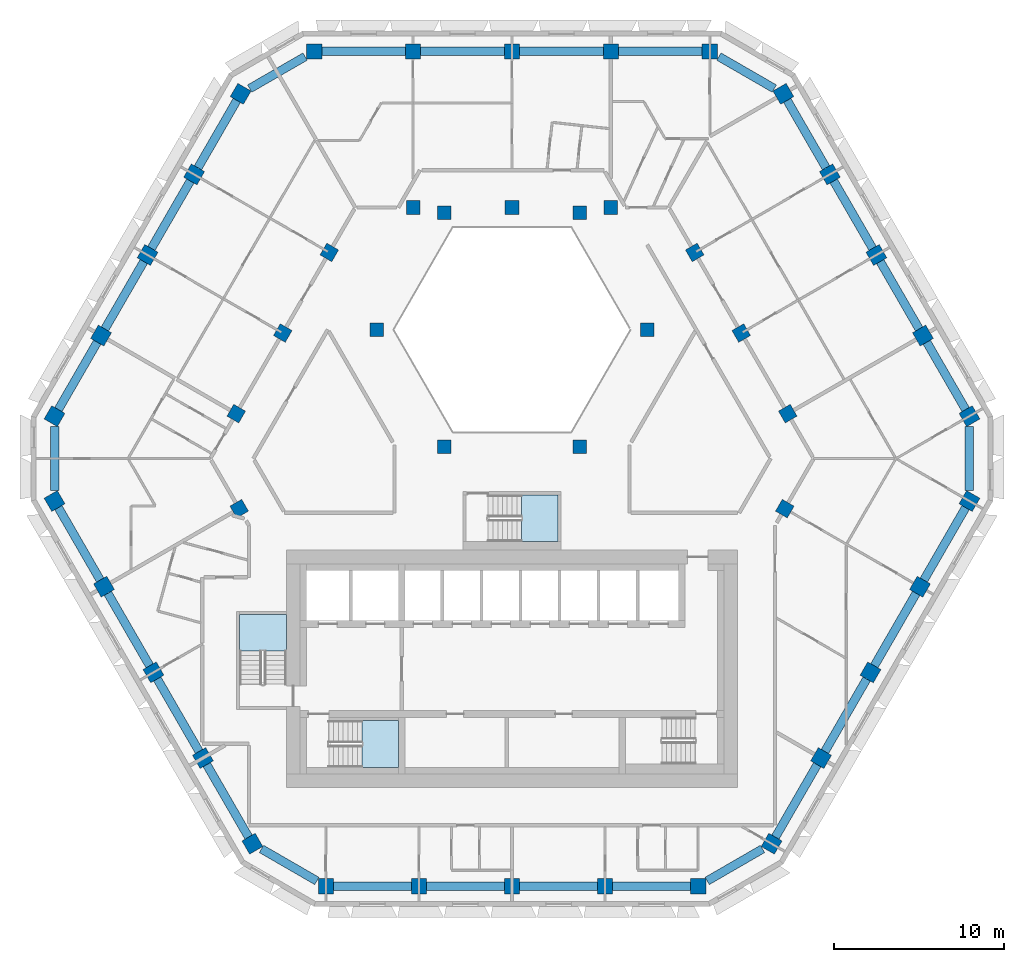
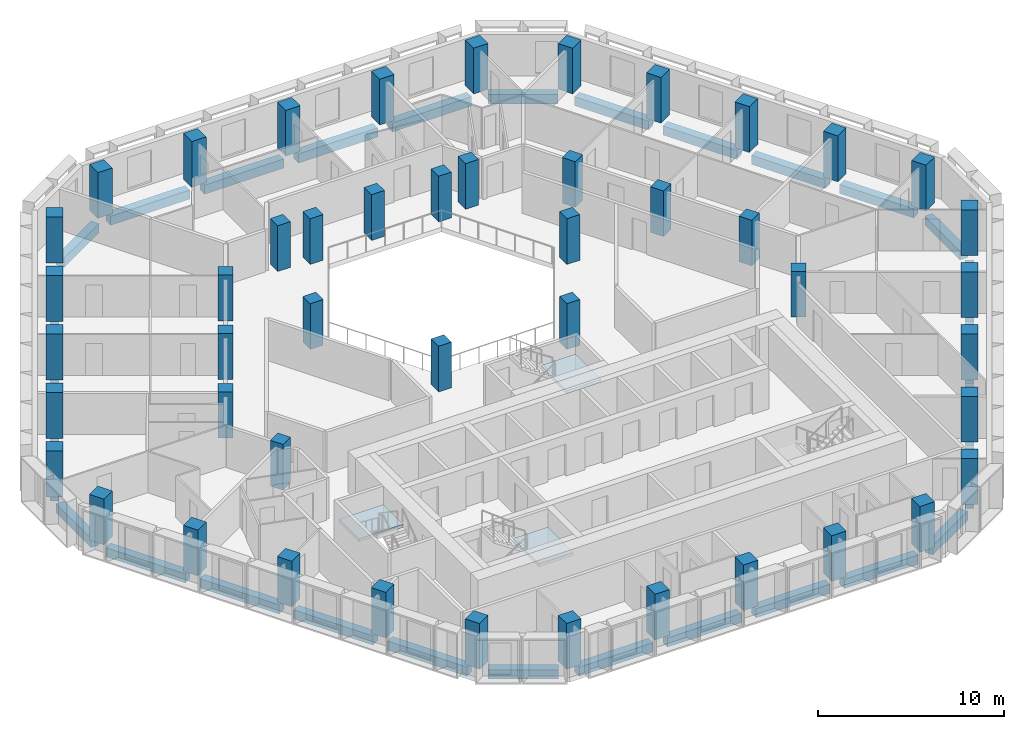
# One storey, part 1 of 15: 47 columns, 30 beams, 3 slabs, 3 elements without a shape of their own.
"""IFC4 building model written with IfcOpenShell, lengths in metres."""

from ifc_helpers import new_model, si_unit, direction, frame, origin, origin_2d, place, context, subcontext, project, spatial, polyline, rectangle, outline, extrude, material, layer, layer_set, material_profile, profile_set, type_object, element, aggregate, save


model = new_model("IFC4")

# Units and contexts
model_context = context("Model", 3, precision=1e-05, world=origin(), true_north=direction((0.0, 1.0)))
body_context = subcontext(model_context, "Body", "Model", "MODEL_VIEW")
ifc_project = project(units=[si_unit("LENGTHUNIT", "METRE"), si_unit("AREAUNIT", "SQUARE_METRE"), si_unit("VOLUMEUNIT", "CUBIC_METRE"), si_unit("PLANEANGLEUNIT", "RADIAN"), si_unit("MASSUNIT", "GRAM", prefix="KILO")], contexts=[model_context])

# Site, building, storey
site_placement = place(None, origin())
site = spatial("IfcSite", under=ifc_project, at=site_placement, CompositionType="ELEMENT")
building_placement = place(site_placement, origin())
building = spatial("IfcBuilding", under=site, at=building_placement, Name="Beryl Residences", CompositionType="ELEMENT")
storey_placement = place(building_placement, frame((0.0, 0.0, 123.60009765625)))
storey = spatial("IfcBuildingStorey", under=building, at=storey_placement, Name="L37", CompositionType="ELEMENT", Elevation=123.60009765625)

# Columns
ifc_material_1 = material(Name="Concrete C60/75", Category="concrete")
ifc_material_profile_1 = material_profile(ifc_material_1, rectangle(XDim=0.89990234375, YDim=0.89990234375, at=origin_2d()))
ifc_profile_set_1 = profile_set([ifc_material_profile_1], Name="Concrete C60/75")
column_type_1 = type_object("IfcColumnType", Name="C3 tube column 900 x 900 C60/75", PredefinedType="COLUMN", material=ifc_profile_set_1)
for number, where, z_axis, x_axis, name in (
    (1, (11.662109375, 24.39990234375, 0.0), (0.0, 0.0, 1.0), (-1.0, 0.0, 0.0), "C3-N1 L37"),
    (2, (5.8310546875, 24.39990234375, 0.0), (0.0, 0.0, 1.0), (-1.0, 0.0, 0.0), "C3-N2 L37"),
    (3, (0.0, 24.39990234375, 0.0), (0.0, 0.0, 1.0), (-1.0, 0.0, 0.0), "C3-N3 L37"),
    (4, (-5.8310546875, 24.39990234375, 0.0), (0.0, 0.0, 1.0), (-1.0, 0.0, 0.0), "C3-N4 L37"),
    (5, (-11.662109375, 24.39990234375, 0.0), (0.0, 0.0, 1.0), (-1.0, 0.0, 0.0), "C3-N5 L37"),
    (6, (-15.992919921875, 21.89990234375, 0.0), (0.0, 0.0, 1.0), (-0.5, -0.866025403784, 0.0), "C3-NW1 L37"),
    (7, (-18.735107421875, 17.14990234375, 0.0), (0.0, 0.0, 1.0), (-0.5, -0.866025403784, 0.0), "C3-NW2 L37"),
    (8, (-21.47802734375, 12.39990234375, 0.0), (0.0, 0.0, 1.0), (-0.5, -0.866025403784, 0.0), "C3-NW3 L37"),
    (9, (-24.219970703125, 7.64990234375, 0.0), (0.0, 0.0, 1.0), (-0.5, -0.866025403784, 0.0), "C3-NW4 L37"),
    (10, (-26.962890625, 2.89990234375, 0.0), (0.0, 0.0, 1.0), (-0.5, -0.866025403784, 0.0), "C3-NW5 L37"),
    (11, (-26.9619140625, -2.10009765625, 0.0), (0.0, 0.0, 1.0), (0.5, -0.866025403784, 0.0), "C3-SW1 L37"),
    (12, (-24.047119140625, -7.14892578125, 0.0), (0.0, 0.0, 1.0), (0.5, -0.866025403784, 0.0), "C3-SW2 L37"),
    (13, (-21.131103515625, -12.198974609375, 0.0), (0.0, 0.0, 1.0), (0.5, -0.866025403784, 0.0), "C3-SW3 L37"),
    (14, (-18.216064453125, -17.2490234375, 0.0), (0.0, 0.0, 1.0), (0.5, -0.866025403784, 0.0), "C3-SW4 L37"),
    (15, (-15.300048828125, -22.299072265625, 0.0), (0.0, 0.0, 1.0), (0.5, -0.866025403784, 0.0), "C3-SW5 L37"),
    (16, (-10.968994140625, -24.800048828125, 0.0), (0.0, 0.0, 1.0), (1.0, 0.0, 0.0), "C3-S1 L37"),
    (17, (-5.48388671875, -24.800048828125, 0.0), (0.0, 0.0, 1.0), (1.0, 0.0, 0.0), "C3-S2 L37"),
    (18, (0.0009765625, -24.800048828125, 0.0), (0.0, 0.0, 1.0), (1.0, 0.0, 0.0), "C3-S3 L37"),
    (19, (5.486083984375, -24.800048828125, 0.0), (0.0, 0.0, 1.0), (1.0, 0.0, 0.0), "C3-S4 L37"),
    (20, (10.970947265625, -24.800048828125, 0.0), (0.0, 0.0, 1.0), (1.0, 0.0, 0.0), "C3-S5 L37"),
    (21, (15.299072265625, -22.300048828125, 0.0), (0.0, 0.0, 1.0), (0.5, 0.866025403784, 0.0), "C3-SE1 L37"),
    (22, (18.215087890625, -17.2509765625, 0.0), (0.0, 0.0, 1.0), (0.5, 0.866025403784, 0.0), "C3-SE2 L37"),
    (23, (21.1298828125, -12.200927734375, 0.0), (0.0, 0.0, 1.0), (0.5, 0.866025403784, 0.0), "C3-SE3 L37"),
    (24, (24.0458984375, -7.15087890625, 0.0), (0.0, 0.0, 1.0), (0.5, 0.866025403784, 0.0), "C3-SE4 L37"),
    (25, (26.9609375, -2.10107421875, 0.0), (0.0, 0.0, 1.0), (0.5, 0.866025403784, 0.0), "C3-SE5 L37"),
    (26, (26.962890625, 2.89990234375, 0.0), (0.0, 0.0, 1.0), (-0.5, 0.866025403784, 0.0), "C3-NE1 L37"),
    (27, (24.219970703125, 7.64990234375, 0.0), (0.0, 0.0, 1.0), (-0.5, 0.866025403784, 0.0), "C3-NE2 L37"),
    (28, (21.47802734375, 12.39990234375, 0.0), (0.0, 0.0, 1.0), (-0.5, 0.866025403784, 0.0), "C3-NE3 L37"),
    (29, (18.735107421875, 17.14990234375, 0.0), (0.0, 0.0, 1.0), (-0.5, 0.866025403784, 0.0), "C3-NE4 L37"),
    (30, (15.992919921875, 21.89990234375, 0.0), (0.0, 0.0, 1.0), (-0.5, 0.866025403784, 0.0), "C3-NE5 L37"),
):
    element("IfcColumn", number, at=place(storey_placement, frame(where, z_axis=z_axis, x_axis=x_axis)), inside=storey, type_object=column_type_1, Name=name, PredefinedType="COLUMN", context=body_context, shape_type="SweptSolid", body=[
        extrude(rectangle(XDim=0.89990234375, YDim=0.89990234375, at=origin_2d()), origin(), (0.0, 0.0, 1.0), 3.0),
    ])
ifc_material_2 = material(Name="Concrete C60/75", Category="concrete")
ifc_material_profile_2 = material_profile(ifc_material_2, rectangle(XDim=0.800048828125, YDim=0.800048828125, at=origin_2d()))
ifc_profile_set_2 = profile_set([ifc_material_profile_2], Name="Concrete C60/75")
column_type_2 = type_object("IfcColumnType", Name="IC3 interior column 800 x 800 C60/75", PredefinedType="COLUMN", material=ifc_profile_set_2)
for number, where, z_axis, x_axis, name in (
    (31, (-16.0791015625, -2.549072265625, 0.0), (0.0, 0.0, 1.0), (0.5, -0.866025403784, 0.0), "IC3-M01 L37"),
    (32, (16.077880859375, -2.551025390625, 0.0), (0.0, 0.0, 1.0), (0.5, 0.866025403784, 0.0), "IC3-M02 L37"),
    (33, (16.2529296875, 3.050048828125, 0.0), (0.0, 0.0, 1.0), (-0.5, 0.866025403784, 0.0), "IC3-M03 L37"),
    (34, (3.98388671875, 1.10009765625, 0.0), (0.0, 0.0, 1.0), (1.0, 0.0, 0.0), "IC3-A04 L37"),
    (35, (13.510009765625, 7.800048828125, 0.0), (0.0, 0.0, 1.0), (-0.5, 0.866025403784, 0.0), "IC3-M05 L37"),
    (36, (7.967041015625, 8.0, 0.0), (0.0, 0.0, 1.0), (1.0, 0.0, 0.0), "IC3-A06 L37"),
    (37, (10.76806640625, 12.550048828125, 0.0), (0.0, 0.0, 1.0), (-0.5, 0.866025403784, 0.0), "IC3-M07 L37"),
    (38, (5.8310546875, 15.199951171875, 0.0), (0.0, 0.0, 1.0), (-1.0, 0.0, 0.0), "IC3-M08 L37"),
    (39, (3.98388671875, 14.89990234375, 0.0), (0.0, 0.0, 1.0), (1.0, 0.0, 0.0), "IC3-A09 L37"),
    (40, (0.0, 15.199951171875, 0.0), (0.0, 0.0, 1.0), (-1.0, 0.0, 0.0), "IC3-M10 L37"),
    (41, (-3.98388671875, 14.89990234375, 0.0), (0.0, 0.0, 1.0), (1.0, 0.0, 0.0), "IC3-A11 L37"),
    (42, (-5.8310546875, 15.199951171875, 0.0), (0.0, 0.0, 1.0), (-1.0, 0.0, 0.0), "IC3-M12 L37"),
    (43, (-10.76806640625, 12.550048828125, 0.0), (0.0, 0.0, 1.0), (-0.5, -0.866025403784, 0.0), "IC3-M13 L37"),
    (44, (-7.967041015625, 8.0, 0.0), (0.0, 0.0, 1.0), (1.0, 0.0, 0.0), "IC3-A14 L37"),
    (45, (-13.510009765625, 7.800048828125, 0.0), (0.0, 0.0, 1.0), (-0.5, -0.866025403784, 0.0), "IC3-M15 L37"),
    (46, (-3.98388671875, 1.10009765625, 0.0), (0.0, 0.0, 1.0), (1.0, 0.0, 0.0), "IC3-A16 L37"),
    (47, (-16.2529296875, 3.050048828125, 0.0), (0.0, 0.0, 1.0), (-0.5, -0.866025403784, 0.0), "IC3-M17 L37"),
):
    element("IfcColumn", number, at=place(storey_placement, frame(where, z_axis=z_axis, x_axis=x_axis)), inside=storey, type_object=column_type_2, Name=name, PredefinedType="COLUMN", context=body_context, shape_type="SweptSolid", body=[
        extrude(rectangle(XDim=0.800048828125, YDim=0.800048828125, at=origin_2d()), origin(), (0.0, 0.0, 1.0), 3.0),
    ])

# Beams
ifc_material_3 = material(Name="Concrete C60/75", Category="concrete")
ifc_material_profile_3 = material_profile(ifc_material_3, rectangle(XDim=0.5, YDim=0.60009765625, at=origin_2d()))
ifc_profile_set_3 = profile_set([ifc_material_profile_3], Name="Concrete C60/75")
beam_type = type_object("IfcBeamType", Name="SB3 spandrel beam 500 x 600 C60/75", PredefinedType="SPANDREL", material=ifc_profile_set_3)
beam_1_placement = place(storey_placement, frame((11.2119140625, 24.39990234375, -0.60009765625), z_axis=(-1.0, 0.0, 0.0), x_axis=(0.0, -1.0, 0.0)))
element("IfcBeam", 48, at=beam_1_placement, inside=storey, type_object=beam_type, Name="SB3 L37 N-0", PredefinedType="SPANDREL", context=body_context, shape_type="SweptSolid", body=[
    extrude(rectangle(XDim=0.5, YDim=0.60009765625, at=origin_2d()), origin(), (0.0, 0.0, 1.0), 4.930908203125),
])
for number, where, z_axis, x_axis, name in (
    (49, (5.381103515625, 24.39990234375, -0.60009765625), (-1.0, 0.0, 0.0), (0.0, -1.0, 0.0), "SB3 L37 N-1"),
    (50, (-0.449951171875, 24.39990234375, -0.60009765625), (-1.0, 0.0, 0.0), (0.0, -1.0, 0.0), "SB3 L37 N-2"),
):
    element("IfcBeam", number, at=place(storey_placement, frame(where, z_axis=z_axis, x_axis=x_axis)), inside=storey, type_object=beam_type, Name=name, PredefinedType="SPANDREL", context=body_context, shape_type="SweptSolid", body=[
        extrude(rectangle(XDim=0.5, YDim=0.60009765625, at=origin_2d()), origin(), (0.0, 0.0, 1.0), 4.93115234375),
    ])
beam_2_placement = place(storey_placement, frame((-6.281005859375, 24.39990234375, -0.60009765625), z_axis=(-1.0, 0.0, 0.0), x_axis=(0.0, -1.0, 0.0)))
element("IfcBeam", 51, at=beam_2_placement, inside=storey, type_object=beam_type, Name="SB3 L37 N-3", PredefinedType="SPANDREL", context=body_context, shape_type="SweptSolid", body=[
    extrude(rectangle(XDim=0.5, YDim=0.60009765625, at=origin_2d()), origin(), (0.0, 0.0, 1.0), 4.930908203125),
])
beam_3_placement = place(storey_placement, frame((-12.194091796875, 24.093017578125, -0.60009765625), z_axis=(-0.866040087317, -0.499974566514, 0.0), x_axis=(0.499974566514, -0.866040087317, 0.0)))
element("IfcBeam", 52, at=beam_3_placement, inside=storey, type_object=beam_type, Name="SB3 L37 N-4", PredefinedType="SPANDREL", context=body_context, shape_type="SweptSolid", body=[
    extrude(rectangle(XDim=0.5, YDim=0.60009765625, at=origin_2d()), origin(), (0.0, 0.0, 1.0), 3.772216796875),
])
beam_4_placement = place(storey_placement, frame((-16.218017578125, 21.510009765625, -0.60009765625), z_axis=(-0.49998830735, -0.866032154434, 0.0), x_axis=(0.866032154434, -0.49998830735, 0.0)))
element("IfcBeam", 53, at=beam_4_placement, inside=storey, type_object=beam_type, Name="SB3 L37 NW-0", PredefinedType="SPANDREL", context=body_context, shape_type="SweptSolid", body=[
    extrude(rectangle(XDim=0.5, YDim=0.60009765625, at=origin_2d()), origin(), (0.0, 0.0, 1.0), 4.583984375),
])
beam_5_placement = place(storey_placement, frame((-18.9599609375, 16.760009765625, -0.60009765625), z_axis=(-0.500148059018, -0.865939904993, 0.0), x_axis=(0.865939904993, -0.500148059018, 0.0)))
element("IfcBeam", 54, at=beam_5_placement, inside=storey, type_object=beam_type, Name="SB3 L37 NW-1", PredefinedType="SPANDREL", context=body_context, shape_type="SweptSolid", body=[
    extrude(rectangle(XDim=0.5, YDim=0.60009765625, at=origin_2d()), origin(), (0.0, 0.0, 1.0), 4.58447265625),
])
beam_6_placement = place(storey_placement, frame((-21.702880859375, 12.010009765625, -0.60009765625), z_axis=(-0.500028250054, -0.866009092994, 0.0), x_axis=(0.866009092994, -0.500028250054, 0.0)))
element("IfcBeam", 55, at=beam_6_placement, inside=storey, type_object=beam_type, Name="SB3 L37 NW-2", PredefinedType="SPANDREL", context=body_context, shape_type="SweptSolid", body=[
    extrude(rectangle(XDim=0.5, YDim=0.60009765625, at=origin_2d()), origin(), (0.0, 0.0, 1.0), 4.584228515625),
])
beam_7_placement = place(storey_placement, frame((-24.445068359375, 7.260009765625, -0.60009765625), z_axis=(-0.500148059018, -0.865939904993, 0.0), x_axis=(0.865939904993, -0.500148059018, 0.0)))
element("IfcBeam", 56, at=beam_7_placement, inside=storey, type_object=beam_type, Name="SB3 L37 NW-3", PredefinedType="SPANDREL", context=body_context, shape_type="SweptSolid", body=[
    extrude(rectangle(XDim=0.5, YDim=0.60009765625, at=origin_2d()), origin(), (0.0, 0.0, 1.0), 4.58447265625),
])
beam_8_placement = place(storey_placement, frame((-26.962890625, 2.285888671875, -0.60009765625), z_axis=(0.000258899668, -0.999999966485, 0.0), x_axis=(0.999999966485, 0.000258899668, 0.0)))
element("IfcBeam", 57, at=beam_8_placement, inside=storey, type_object=beam_type, Name="SB3 L37 NW-4", PredefinedType="SPANDREL", context=body_context, shape_type="SweptSolid", body=[
    extrude(rectangle(XDim=0.5, YDim=0.60009765625, at=origin_2d()), origin(), (0.0, 0.0, 1.0), 3.77197265625),
])
beam_9_placement = place(storey_placement, frame((-26.737060546875, -2.489990234375, -0.60009765625), z_axis=(0.50005397607, -0.865994238443, 0.0), x_axis=(0.865994238443, 0.50005397607, 0.0)))
element("IfcBeam", 58, at=beam_9_placement, inside=storey, type_object=beam_type, Name="SB3 L37 SW-0", PredefinedType="SPANDREL", context=body_context, shape_type="SweptSolid", body=[
    extrude(rectangle(XDim=0.5, YDim=0.60009765625, at=origin_2d()), origin(), (0.0, 0.0, 1.0), 4.9296875),
])
beam_10_placement = place(storey_placement, frame((-23.822021484375, -7.5390625, -0.60009765625), z_axis=(0.500116736097, -0.865957995677, 0.0), x_axis=(0.865957995677, 0.500116736097, 0.0)))
element("IfcBeam", 59, at=beam_10_placement, inside=storey, type_object=beam_type, Name="SB3 L37 SW-1", PredefinedType="SPANDREL", context=body_context, shape_type="SweptSolid", body=[
    extrude(rectangle(XDim=0.5, YDim=0.60009765625, at=origin_2d()), origin(), (0.0, 0.0, 1.0), 4.930908203125),
])
beam_11_placement = place(storey_placement, frame((-20.906005859375, -12.589111328125, -0.60009765625), z_axis=(0.499989643469, -0.866031383048, 0.0), x_axis=(0.866031383048, 0.499989643469, 0.0)))
element("IfcBeam", 60, at=beam_11_placement, inside=storey, type_object=beam_type, Name="SB3 L37 SW-2", PredefinedType="SPANDREL", context=body_context, shape_type="SweptSolid", body=[
    extrude(rectangle(XDim=0.5, YDim=0.60009765625, at=origin_2d()), origin(), (0.0, 0.0, 1.0), 4.93017578125),
])
beam_12_placement = place(storey_placement, frame((-17.990966796875, -17.638916015625, -0.60009765625), z_axis=(0.500116736097, -0.865957995677, 0.0), x_axis=(0.865957995677, 0.500116736097, 0.0)))
element("IfcBeam", 61, at=beam_12_placement, inside=storey, type_object=beam_type, Name="SB3 L37 SW-3", PredefinedType="SPANDREL", context=body_context, shape_type="SweptSolid", body=[
    extrude(rectangle(XDim=0.5, YDim=0.60009765625, at=origin_2d()), origin(), (0.0, 0.0, 1.0), 4.930908203125),
])
beam_13_placement = place(storey_placement, frame((-14.76806640625, -22.60595703125, -0.60009765625), z_axis=(0.865944170592, -0.500140673629, 0.0), x_axis=(0.500140673629, 0.865944170592, 0.0)))
element("IfcBeam", 62, at=beam_13_placement, inside=storey, type_object=beam_type, Name="SB3 L37 SW-4", PredefinedType="SPANDREL", context=body_context, shape_type="SweptSolid", body=[
    extrude(rectangle(XDim=0.5, YDim=0.60009765625, at=origin_2d()), origin(), (0.0, 0.0, 1.0), 3.77294921875),
])
for number, where, z_axis, x_axis, name in (
    (63, (-10.51904296875, -24.800048828125, -0.60009765625), (1.0, 0.0, 0.0), (0.0, 1.0, 0.0), "SB3 L37 S-0"),
    (64, (-5.033935546875, -24.800048828125, -0.60009765625), (1.0, 0.0, 0.0), (0.0, 1.0, 0.0), "SB3 L37 S-1"),
    (65, (0.450927734375, -24.800048828125, -0.60009765625), (1.0, 0.0, 0.0), (0.0, 1.0, 0.0), "SB3 L37 S-2"),
    (66, (5.93603515625, -24.800048828125, -0.60009765625), (1.0, 0.0, 0.0), (0.0, 1.0, 0.0), "SB3 L37 S-3"),
):
    element("IfcBeam", number, at=place(storey_placement, frame(where, z_axis=z_axis, x_axis=x_axis)), inside=storey, type_object=beam_type, Name=name, PredefinedType="SPANDREL", context=body_context, shape_type="SweptSolid", body=[
        extrude(rectangle(XDim=0.5, YDim=0.60009765625, at=origin_2d()), origin(), (0.0, 0.0, 1.0), 4.5849609375),
    ])
beam_14_placement = place(storey_placement, frame((11.5029296875, -24.492919921875, -0.60009765625), z_axis=(0.865861956233, 0.500282992663, 0.0), x_axis=(-0.500282992663, 0.865861956233, 0.0)))
element("IfcBeam", 67, at=beam_14_placement, inside=storey, type_object=beam_type, Name="SB3 L37 S-4", PredefinedType="SPANDREL", context=body_context, shape_type="SweptSolid", body=[
    extrude(rectangle(XDim=0.5, YDim=0.60009765625, at=origin_2d()), origin(), (0.0, 0.0, 1.0), 3.769775390625),
])
beam_15_placement = place(storey_placement, frame((15.52392578125, -21.909912109375, -0.60009765625), z_axis=(0.500223967704, 0.86589605735, 0.0), x_axis=(-0.86589605735, 0.500223967704, 0.0)))
element("IfcBeam", 68, at=beam_15_placement, inside=storey, type_object=beam_type, Name="SB3 L37 SE-0", PredefinedType="SPANDREL", context=body_context, shape_type="SweptSolid", body=[
    extrude(rectangle(XDim=0.5, YDim=0.60009765625, at=origin_2d()), origin(), (0.0, 0.0, 1.0), 4.929931640625),
])
beam_16_placement = place(storey_placement, frame((18.43994140625, -16.861083984375, -0.60009765625), z_axis=(0.499968202334, 0.866043761397, 0.0), x_axis=(-0.866043761397, 0.499968202334, 0.0)))
element("IfcBeam", 69, at=beam_16_placement, inside=storey, type_object=beam_type, Name="SB3 L37 SE-1", PredefinedType="SPANDREL", context=body_context, shape_type="SweptSolid", body=[
    extrude(rectangle(XDim=0.5, YDim=0.60009765625, at=origin_2d()), origin(), (0.0, 0.0, 1.0), 4.930419921875),
])
beam_17_placement = place(storey_placement, frame((21.35498046875, -11.81103515625, -0.60009765625), z_axis=(0.500116736097, 0.865957995677, 0.0), x_axis=(-0.865957995677, 0.500116736097, 0.0)))
element("IfcBeam", 70, at=beam_17_placement, inside=storey, type_object=beam_type, Name="SB3 L37 SE-2", PredefinedType="SPANDREL", context=body_context, shape_type="SweptSolid", body=[
    extrude(rectangle(XDim=0.5, YDim=0.60009765625, at=origin_2d()), origin(), (0.0, 0.0, 1.0), 4.930908203125),
])
beam_18_placement = place(storey_placement, frame((24.27099609375, -6.760986328125, -0.60009765625), z_axis=(0.499968202334, 0.866043761397, 0.0), x_axis=(-0.866043761397, 0.499968202334, 0.0)))
element("IfcBeam", 71, at=beam_18_placement, inside=storey, type_object=beam_type, Name="SB3 L37 SE-3", PredefinedType="SPANDREL", context=body_context, shape_type="SweptSolid", body=[
    extrude(rectangle(XDim=0.5, YDim=0.60009765625, at=origin_2d()), origin(), (0.0, 0.0, 1.0), 4.930419921875),
])
beam_19_placement = place(storey_placement, frame((26.9609375, -1.487060546875, -0.60009765625), z_axis=(0.00051766526, 0.999999866011, 0.0), x_axis=(-0.999999866011, 0.00051766526, 0.0)))
element("IfcBeam", 72, at=beam_19_placement, inside=storey, type_object=beam_type, Name="SB3 L37 SE-4", PredefinedType="SPANDREL", context=body_context, shape_type="SweptSolid", body=[
    extrude(rectangle(XDim=0.5, YDim=0.60009765625, at=origin_2d()), origin(), (0.0, 0.0, 1.0), 3.77294921875),
])
beam_20_placement = place(storey_placement, frame((26.738037109375, 3.2900390625, -0.60009765625), z_axis=(-0.500148059018, 0.865939904993, 0.0), x_axis=(-0.865939904993, -0.500148059018, 0.0)))
element("IfcBeam", 73, at=beam_20_placement, inside=storey, type_object=beam_type, Name="SB3 L37 NE-0", PredefinedType="SPANDREL", context=body_context, shape_type="SweptSolid", body=[
    extrude(rectangle(XDim=0.5, YDim=0.60009765625, at=origin_2d()), origin(), (0.0, 0.0, 1.0), 4.58447265625),
])
beam_21_placement = place(storey_placement, frame((23.9951171875, 8.0400390625, -0.60009765625), z_axis=(-0.500028250054, 0.866009092994, 0.0), x_axis=(-0.866009092994, -0.500028250054, 0.0)))
element("IfcBeam", 74, at=beam_21_placement, inside=storey, type_object=beam_type, Name="SB3 L37 NE-1", PredefinedType="SPANDREL", context=body_context, shape_type="SweptSolid", body=[
    extrude(rectangle(XDim=0.5, YDim=0.60009765625, at=origin_2d()), origin(), (0.0, 0.0, 1.0), 4.584228515625),
])
beam_22_placement = place(storey_placement, frame((21.2529296875, 12.7900390625, -0.60009765625), z_axis=(-0.500148059018, 0.865939904993, 0.0), x_axis=(-0.865939904993, -0.500148059018, 0.0)))
element("IfcBeam", 75, at=beam_22_placement, inside=storey, type_object=beam_type, Name="SB3 L37 NE-2", PredefinedType="SPANDREL", context=body_context, shape_type="SweptSolid", body=[
    extrude(rectangle(XDim=0.5, YDim=0.60009765625, at=origin_2d()), origin(), (0.0, 0.0, 1.0), 4.58447265625),
])
beam_23_placement = place(storey_placement, frame((18.510009765625, 17.5400390625, -0.60009765625), z_axis=(-0.49998830735, 0.866032154434, 0.0), x_axis=(-0.866032154434, -0.49998830735, 0.0)))
element("IfcBeam", 76, at=beam_23_placement, inside=storey, type_object=beam_type, Name="SB3 L37 NE-3", PredefinedType="SPANDREL", context=body_context, shape_type="SweptSolid", body=[
    extrude(rectangle(XDim=0.5, YDim=0.60009765625, at=origin_2d()), origin(), (0.0, 0.0, 1.0), 4.583984375),
])
beam_24_placement = place(storey_placement, frame((15.4609375, 22.20703125, -0.60009765625), z_axis=(-0.866040087317, 0.499974566514, 0.0), x_axis=(-0.499974566514, -0.866040087317, 0.0)))
element("IfcBeam", 77, at=beam_24_placement, inside=storey, type_object=beam_type, Name="SB3 L37 NE-4", PredefinedType="SPANDREL", context=body_context, shape_type="SweptSolid", body=[
    extrude(rectangle(XDim=0.5, YDim=0.60009765625, at=origin_2d()), origin(), (0.0, 0.0, 1.0), 3.772216796875),
])

# Stair, slab
ifc_material_4 = material(Name="Concrete C40/50", Category="concrete")
stair_type = type_object("IfcStairType", Name="ST1 protected exit stair, half-turn, 1300 mm flights", PredefinedType="HALF_TURN_STAIR", material=ifc_material_4)
stair_1_placement = place(storey_placement, origin())
stair_1 = element("IfcStair", 78, at=stair_1_placement, inside=storey, type_object=stair_type, Name="L37 PROTECTED EXIT STAIR ST-1", PredefinedType="HALF_TURN_STAIR")
ifc_material_5 = material(Name="Concrete C40/50", Category="concrete")
ifc_layer = layer(ifc_material_5, 0.199951171875)
ifc_layer_set = layer_set([ifc_layer], Name="SLD1 stair landing 200 mm")
slab_type = type_object("IfcSlabType", Name="SLD1 stair landing 200 mm", PredefinedType="LANDING", material=ifc_layer_set)
slab_1_placement = place(storey_placement, frame((0.0, 0.0, 1.2998046875)))
slab_1 = element("IfcSlab", 79, at=slab_1_placement, type_object=slab_type, Name="ST-1 landing 1", PredefinedType="LANDING", context=body_context, shape_type="SweptSolid", body=[
    extrude(outline(polyline([(-8.840087890625, -17.800048828125), (-6.699951171875, -17.800048828125), (-6.699951171875, -15.050048828125), (-8.840087890625, -15.050048828125), (-8.840087890625, -17.800048828125)])), origin(), (0.0, 0.0, 1.0), 0.2001953125),
])
aggregate(stair_1, [slab_1])

stair_2_placement = place(storey_placement, origin())
stair_2 = element("IfcStair", 80, at=stair_2_placement, inside=storey, type_object=stair_type, Name="L37 PROTECTED EXIT STAIR ST-2", PredefinedType="HALF_TURN_STAIR")
slab_2_placement = place(storey_placement, frame((0.0, 0.0, 1.2998046875)))
slab_2 = element("IfcSlab", 81, at=slab_2_placement, type_object=slab_type, Name="ST-2 landing 1", PredefinedType="LANDING", context=body_context, shape_type="SweptSolid", body=[
    extrude(outline(polyline([(-13.300048828125, -10.93994140625), (-13.300048828125, -8.800048828125), (-16.050048828125, -8.800048828125), (-16.050048828125, -10.93994140625), (-13.300048828125, -10.93994140625)])), origin(), (0.0, 0.0, 1.0), 0.2001953125),
])
aggregate(stair_2, [slab_2])

stair_3_placement = place(storey_placement, origin())
stair_3 = element("IfcStair", 82, at=stair_3_placement, inside=storey, type_object=stair_type, Name="L37 PROTECTED EXIT STAIR ST-4", PredefinedType="HALF_TURN_STAIR")
slab_3_placement = place(storey_placement, frame((0.0, 0.0, 1.2998046875)))
slab_3 = element("IfcSlab", 83, at=slab_3_placement, type_object=slab_type, Name="ST-4 landing 1", PredefinedType="LANDING", context=body_context, shape_type="SweptSolid", body=[
    extrude(outline(polyline([(0.56005859375, -4.5), (2.699951171875, -4.5), (2.699951171875, -1.75), (0.56005859375, -1.75), (0.56005859375, -4.5)])), origin(), (0.0, 0.0, 1.0), 0.2001953125),
])
aggregate(stair_3, [slab_3])

save(model, "model.ifc")
